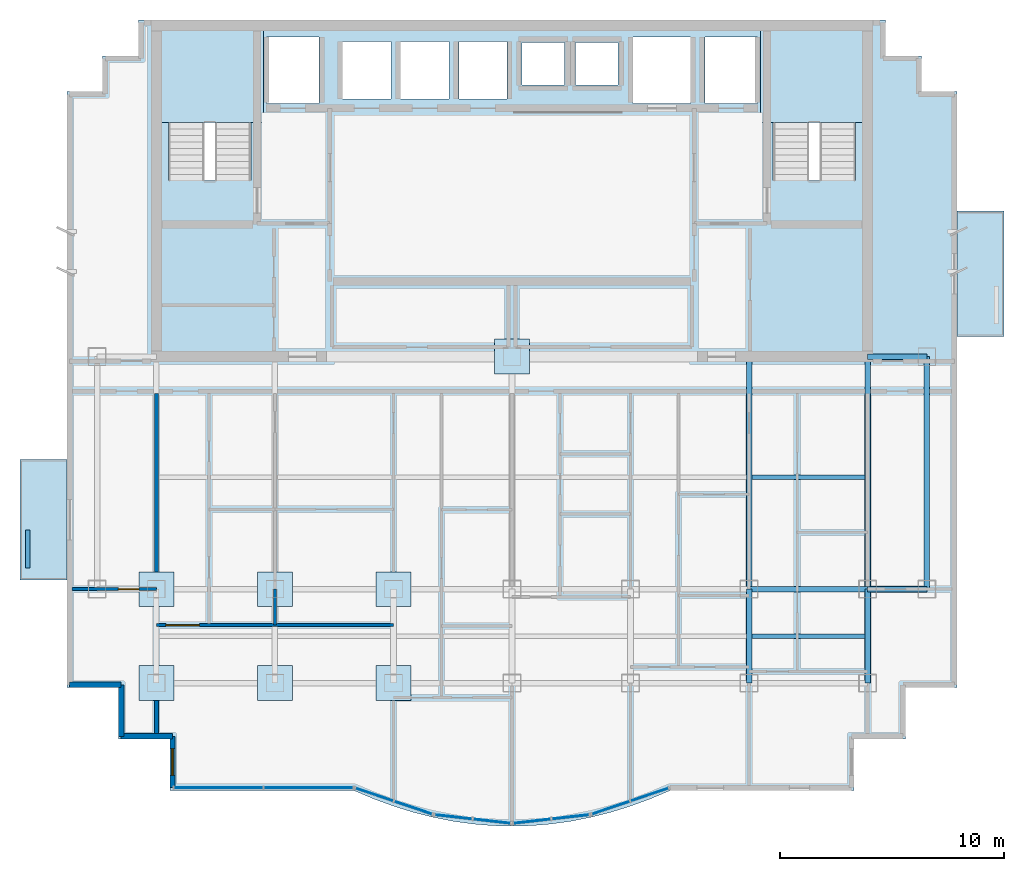
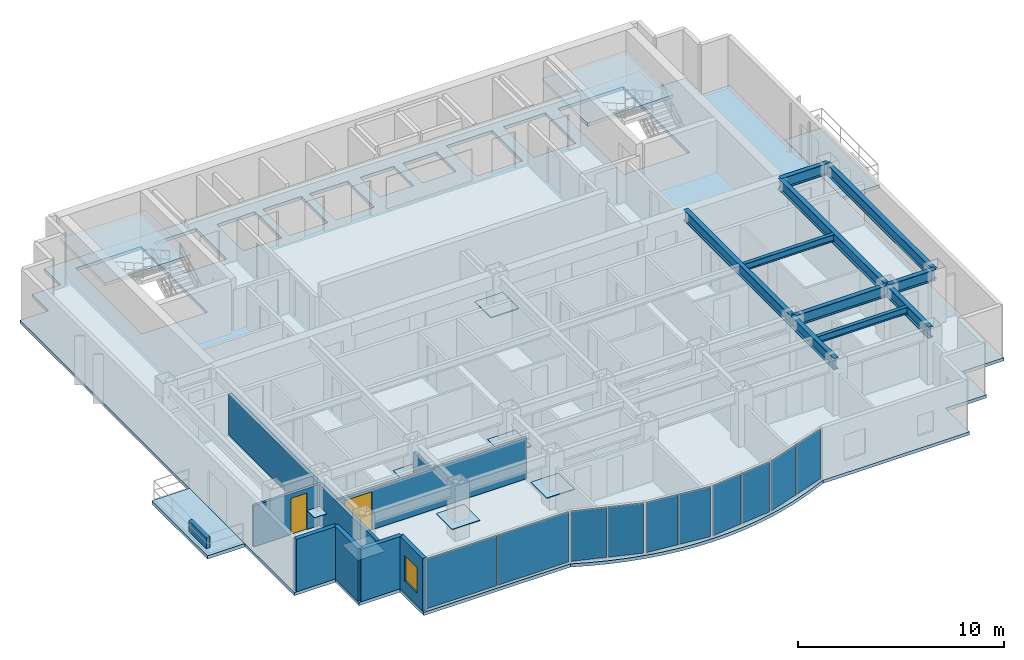
# One storey, part 3 of 9: 17 plates, 10 beams, 9 walls, 5 slabs, 2 doors, 1 window, 3 openings, 7 elements without a shape of their own.
"""IFC4 building model written with IfcOpenShell, lengths in metres."""

from ifc_helpers import new_model, si_unit, direction, frame, frame_2d, origin, origin_2d, place, context, subcontext, project, spatial, polyline, rectangle, i_section, outline, extrude, source, transform, mapped, material, layer, layer_set, material_profile, profile_set, type_object, element, fill, aggregate, save


model = new_model("IFC4")

# Units and contexts
model_context = context("Model", 3, precision=1e-05, world=origin(), true_north=direction((0.0, 1.0)))
body_context = subcontext(model_context, "Body", "Model", "MODEL_VIEW")
ifc_project = project(units=[si_unit("LENGTHUNIT", "METRE"), si_unit("AREAUNIT", "SQUARE_METRE"), si_unit("VOLUMEUNIT", "CUBIC_METRE"), si_unit("PLANEANGLEUNIT", "RADIAN"), si_unit("MASSUNIT", "GRAM", prefix="KILO")], contexts=[model_context])

# Site, building, storey
site_placement = place(None, origin())
site = spatial("IfcSite", under=ifc_project, at=site_placement, CompositionType="ELEMENT")
building_placement = place(site_placement, origin())
building = spatial("IfcBuilding", under=site, at=building_placement, Name="Qianlan Lanfeng Residences", CompositionType="ELEMENT")
storey_placement = place(building_placement, frame((0.0, 0.0, 213.199951171875)))
storey = spatial("IfcBuildingStorey", under=building, at=storey_placement, Name="L58", CompositionType="ELEMENT", Elevation=213.199951171875)

# Beams
ifc_material_1 = material(Name="Steel SN490B", Category="steel")
ifc_material_profile_1 = material_profile(ifc_material_1, i_section(OverallWidth=0.25, OverallDepth=0.64990234375, WebThickness=0.012939453125, FlangeThickness=0.02197265625, at=origin_2d()), Name="H 650x250x13x22")
ifc_profile_set_1 = profile_set([ifc_material_profile_1], Name="Steel SN490B")
beam_type_1 = type_object("IfcBeamType", Name="G-650", PredefinedType="BEAM", material=ifc_profile_set_1)
beam_1_placement = place(storey_placement, frame((37.10009765625, 14.800048828125, 2.78515625), z_axis=(1.0, 0.0, 0.0), x_axis=(0.0, 1.0, 0.0)))
element("IfcBeam", 1, at=beam_1_placement, inside=storey, type_object=beam_type_1, Name="Structural beam G-650", PredefinedType="BEAM", context=body_context, shape_type="SweptSolid", body=[
    extrude(i_section(OverallWidth=0.25, OverallDepth=0.64990234375, WebThickness=0.012939453125, FlangeThickness=0.02197265625, at=origin_2d()), origin(), (0.0, 0.0, 1.0), 5.2998046875),
])
for number, where, z_axis, x_axis, name in (
    (2, (42.39990234375, 14.800048828125, 2.78515625), (1.0, 0.0, 0.0), (0.0, 1.0, 0.0), "Structural beam G-650"),
    (3, (42.39990234375, 25.199951171875, 2.78515625), (1.0, 0.0, 0.0), (0.0, 1.0, 0.0), "Structural beam G-650"),
):
    element("IfcBeam", number, at=place(storey_placement, frame(where, z_axis=z_axis, x_axis=x_axis)), inside=storey, type_object=beam_type_1, Name=name, PredefinedType="BEAM", context=body_context, shape_type="SweptSolid", body=[
        extrude(i_section(OverallWidth=0.25, OverallDepth=0.64990234375, WebThickness=0.012939453125, FlangeThickness=0.02197265625, at=origin_2d()), origin(), (0.0, 0.0, 1.0), 2.650146484375),
    ])
beam_2_placement = place(storey_placement, frame((37.10009765625, 10.60009765625, 2.78515625), z_axis=(0.0, 1.0, 0.0), x_axis=(-1.0, 0.0, 0.0)))
element("IfcBeam", 4, at=beam_2_placement, inside=storey, type_object=beam_type_1, Name="Structural beam G-650", PredefinedType="BEAM", context=body_context, shape_type="SweptSolid", body=[
    extrude(i_section(OverallWidth=0.25, OverallDepth=0.64990234375, WebThickness=0.012939453125, FlangeThickness=0.02197265625, at=origin_2d()), origin(), (0.0, 0.0, 1.0), 4.199951171875),
])
beam_3_placement = place(storey_placement, frame((37.10009765625, 14.800048828125, 2.78515625), z_axis=(0.0, 1.0, 0.0), x_axis=(-1.0, 0.0, 0.0)))
element("IfcBeam", 5, at=beam_3_placement, inside=storey, type_object=beam_type_1, Name="Structural beam G-650", PredefinedType="BEAM", context=body_context, shape_type="SweptSolid", body=[
    extrude(i_section(OverallWidth=0.25, OverallDepth=0.64990234375, WebThickness=0.012939453125, FlangeThickness=0.02197265625, at=origin_2d()), origin(), (0.0, 0.0, 1.0), 10.39990234375),
])
beam_4_placement = place(storey_placement, frame((42.39990234375, 10.60009765625, 2.78515625), z_axis=(0.0, 1.0, 0.0), x_axis=(-1.0, 0.0, 0.0)))
element("IfcBeam", 6, at=beam_4_placement, inside=storey, type_object=beam_type_1, Name="Structural beam G-650", PredefinedType="BEAM", context=body_context, shape_type="SweptSolid", body=[
    extrude(i_section(OverallWidth=0.25, OverallDepth=0.64990234375, WebThickness=0.012939453125, FlangeThickness=0.02197265625, at=origin_2d()), origin(), (0.0, 0.0, 1.0), 4.199951171875),
])
beam_5_placement = place(storey_placement, frame((42.39990234375, 14.800048828125, 2.78515625), z_axis=(0.0, 1.0, 0.0), x_axis=(-1.0, 0.0, 0.0)))
element("IfcBeam", 7, at=beam_5_placement, inside=storey, type_object=beam_type_1, Name="Structural beam G-650", PredefinedType="BEAM", context=body_context, shape_type="SweptSolid", body=[
    extrude(i_section(OverallWidth=0.25, OverallDepth=0.64990234375, WebThickness=0.012939453125, FlangeThickness=0.02197265625, at=origin_2d()), origin(), (0.0, 0.0, 1.0), 10.39990234375),
])
ifc_material_profile_2 = material_profile(ifc_material_1, i_section(OverallWidth=0.199951171875, OverallDepth=0.39990234375, WebThickness=0.008056640625, FlangeThickness=0.012939453125, at=origin_2d()), Name="H 400x200x8x13")
ifc_profile_set_2 = profile_set([ifc_material_profile_2], Name="Steel SN490B")
beam_type_2 = type_object("IfcBeamType", Name="J-400", PredefinedType="JOIST", material=ifc_profile_set_2)
for number, where, z_axis, x_axis, name in (
    (8, (37.22509765625, 12.699951171875, 2.91015625), (1.0, 0.0, 0.0), (0.0, 1.0, 0.0), "Structural beam J-400"),
    (9, (37.22509765625, 19.800048828125, 2.91015625), (1.0, 0.0, 0.0), (0.0, 1.0, 0.0), "Structural beam J-400"),
):
    element("IfcBeam", number, at=place(storey_placement, frame(where, z_axis=z_axis, x_axis=x_axis)), inside=storey, type_object=beam_type_2, Name=name, PredefinedType="JOIST", context=body_context, shape_type="SweptSolid", body=[
        extrude(i_section(OverallWidth=0.199951171875, OverallDepth=0.39990234375, WebThickness=0.008056640625, FlangeThickness=0.012939453125, at=origin_2d()), origin(), (0.0, 0.0, 1.0), 5.0498046875),
    ])
ifc_material_profile_3 = material_profile(ifc_material_1, i_section(OverallWidth=0.25, OverallDepth=0.64990234375, WebThickness=0.012939453125, FlangeThickness=0.02197265625, at=origin_2d()), Name="H 650x250x13x22")
ifc_profile_set_3 = profile_set([ifc_material_profile_3], Name="Steel SN490B")
beam_type_3 = type_object("IfcBeamType", Name="SG-650", PredefinedType="SPANDREL", material=ifc_profile_set_3)
beam_6_placement = place(storey_placement, frame((45.050048828125, 14.800048828125, 2.76513671875), z_axis=(0.0, 1.0, 0.0), x_axis=(-1.0, 0.0, 0.0)))
element("IfcBeam", 10, at=beam_6_placement, inside=storey, type_object=beam_type_3, Name="Structural beam SG-650", PredefinedType="SPANDREL", context=body_context, shape_type="SweptSolid", body=[
    extrude(i_section(OverallWidth=0.25, OverallDepth=0.64990234375, WebThickness=0.012939453125, FlangeThickness=0.02197265625, at=origin_2d()), origin(), (0.0, 0.0, 1.0), 10.39990234375),
])

# Slabs
ifc_material_2 = material(Name="Concrete C42", Category="concrete")
ifc_layer_1 = layer(ifc_material_2, 0.199951171875)
ifc_layer_set_1 = layer_set([ifc_layer_1], Name="Concrete C42")
slab_type_1 = type_object("IfcSlabType", Name="S-BAL-200", PredefinedType="FLOOR", material=ifc_layer_set_1)
slab_1_placement = place(storey_placement, frame((0.0, 0.0, -0.199951171875)))
element("IfcSlab", 11, at=slab_1_placement, inside=storey, type_object=slab_type_1, Name="L58 Planted Tree Balcony Slab WB-S", PredefinedType="FLOOR", context=body_context, shape_type="SweptSolid", body=[
    extrude(outline(polyline([(6.60009765625, 15.199951171875), (6.60009765625, 20.60009765625), (4.5, 20.60009765625), (4.5, 15.199951171875), (6.60009765625, 15.199951171875)])), origin(), (0.0, 0.0, 1.0), 0.199951171875),
])
slab_2_placement = place(storey_placement, frame((0.0, 0.0, -0.199951171875)))
element("IfcSlab", 12, at=slab_2_placement, inside=storey, type_object=slab_type_1, Name="L58 Planted Tree Balcony Slab EB-N", PredefinedType="FLOOR", context=body_context, shape_type="SweptSolid", body=[
    extrude(outline(polyline([(46.39990234375, 31.699951171875), (46.39990234375, 26.10009765625), (48.5, 26.10009765625), (48.5, 31.699951171875), (46.39990234375, 31.699951171875)])), origin(), (0.0, 0.0, 1.0), 0.199951171875),
])
ifc_layer_2 = layer(ifc_material_2, 0.18994140625)
ifc_layer_set_2 = layer_set([ifc_layer_2], Name="Concrete C42")
slab_type_2 = type_object("IfcSlabType", Name="S-FL-190", PredefinedType="FLOOR", material=ifc_layer_set_2)
slab_3_placement = place(storey_placement, frame((0.0, 0.0, -0.18994140625)))
element("IfcSlab", 13, at=slab_3_placement, inside=storey, type_object=slab_type_2, Name="L58 Structural Floor Slab", PredefinedType="FLOOR", context=body_context, shape_type="SweptSolid", body=[
    extrude(outline(polyline([(6.60009765625, 10.39990234375), (8.89990234375, 10.39990234375), (8.89990234375, 8.10009765625), (11.199951171875, 8.10009765625), (11.199951171875, 5.800048828125), (19.419921875, 5.800048828125), (20.304931640625, 5.425048828125), (21.18994140625, 5.10009765625), (22.074951171875, 4.824951171875), (22.9599609375, 4.60009765625), (23.844970703125, 4.425048828125), (24.72998046875, 4.300048828125), (25.614990234375, 4.22509765625), (26.5, 4.199951171875), (27.385009765625, 4.22509765625), (28.27001953125, 4.300048828125), (29.155029296875, 4.425048828125), (30.0400390625, 4.60009765625), (30.925048828125, 4.824951171875), (31.81005859375, 5.10009765625), (32.695068359375, 5.425048828125), (33.580078125, 5.800048828125), (41.800048828125, 5.800048828125), (41.800048828125, 8.10009765625), (44.10009765625, 8.10009765625), (44.10009765625, 10.39990234375), (46.39990234375, 10.39990234375), (46.39990234375, 37.050048828125), (44.800048828125, 37.050048828125), (44.800048828125, 38.64990234375), (43.199951171875, 38.64990234375), (43.199951171875, 40.25), (9.800048828125, 40.25), (9.800048828125, 38.64990234375), (8.199951171875, 38.64990234375), (8.199951171875, 37.050048828125), (6.60009765625, 37.050048828125), (6.60009765625, 10.39990234375)]), holes=[polyline([(11.139892578125, 33.080078125), (11.139892578125, 39.5), (14.820068359375, 39.5), (14.820068359375, 33.080078125), (11.139892578125, 33.080078125)]), polyline([(38.179931640625, 33.080078125), (38.179931640625, 39.5), (41.860107421875, 39.5), (41.860107421875, 33.080078125), (38.179931640625, 33.080078125)]), polyline([(15.52001953125, 36.52001953125), (15.52001953125, 39.47998046875), (17.8798828125, 39.47998046875), (17.8798828125, 36.52001953125), (15.52001953125, 36.52001953125)]), polyline([(35.1201171875, 36.52001953125), (35.1201171875, 39.47998046875), (37.47998046875, 39.47998046875), (37.47998046875, 36.52001953125), (35.1201171875, 36.52001953125)]), polyline([(31.919921875, 36.52001953125), (31.919921875, 39.47998046875), (34.47998046875, 39.47998046875), (34.47998046875, 36.52001953125), (31.919921875, 36.52001953125)]), polyline([(18.919921875, 36.719970703125), (18.919921875, 39.280029296875), (21.080078125, 39.280029296875), (21.080078125, 36.719970703125), (18.919921875, 36.719970703125)]), polyline([(21.52001953125, 36.719970703125), (21.52001953125, 39.280029296875), (23.679931640625, 39.280029296875), (23.679931640625, 36.719970703125), (21.52001953125, 36.719970703125)]), polyline([(24.1201171875, 36.719970703125), (24.1201171875, 39.280029296875), (26.280029296875, 39.280029296875), (26.280029296875, 36.719970703125), (24.1201171875, 36.719970703125)]), polyline([(26.949951171875, 37.35009765625), (26.949951171875, 39.25), (28.85009765625, 39.25), (28.85009765625, 37.35009765625), (26.949951171875, 37.35009765625)]), polyline([(29.35009765625, 37.35009765625), (29.35009765625, 39.25), (31.25, 39.25), (31.25, 37.35009765625), (29.35009765625, 37.35009765625)])]), origin(), (0.0, 0.0, 1.0), 0.18994140625),
])

# Stair, slab
stair_type = type_object("IfcStairType", Name="STR-MAIN", PredefinedType="HALF_TURN_STAIR", material=ifc_material_2)
stair_1_placement = place(storey_placement, origin())
stair_1 = element("IfcStair", 14, at=stair_1_placement, inside=storey, type_object=stair_type, Name="L58 Exit Stair ST-1", PredefinedType="HALF_TURN_STAIR")
ifc_layer_3 = layer(ifc_material_2, 0.179931640625)
ifc_layer_set_3 = layer_set([ifc_layer_3], Name="Concrete C42")
slab_type_3 = type_object("IfcSlabType", Name="S-LND-180", PredefinedType="LANDING", material=ifc_layer_set_3)
slab_4_placement = place(storey_placement, frame((0.0, 0.0, 1.449951171875)))
slab_4 = element("IfcSlab", 15, at=slab_4_placement, type_object=slab_type_3, Name="ST-1 landing 1", PredefinedType="LANDING", context=body_context, shape_type="SweptSolid", body=[
    extrude(outline(polyline([(10.580078125, 35.659912109375), (15.3798828125, 35.659912109375), (15.3798828125, 40.050048828125), (10.580078125, 40.050048828125), (10.580078125, 35.659912109375)])), origin(), (0.0, 0.0, 1.0), 0.2001953125),
])
aggregate(stair_1, [slab_4])

stair_2_placement = place(storey_placement, origin())
stair_2 = element("IfcStair", 16, at=stair_2_placement, inside=storey, type_object=stair_type, Name="L58 Exit Stair ST-2", PredefinedType="HALF_TURN_STAIR")
slab_5_placement = place(storey_placement, frame((0.0, 0.0, 1.449951171875)))
slab_5 = element("IfcSlab", 17, at=slab_5_placement, type_object=slab_type_3, Name="ST-2 landing 1", PredefinedType="LANDING", context=body_context, shape_type="SweptSolid", body=[
    extrude(outline(polyline([(37.6201171875, 35.659912109375), (42.419921875, 35.659912109375), (42.419921875, 40.050048828125), (37.6201171875, 40.050048828125), (37.6201171875, 35.659912109375)])), origin(), (0.0, 0.0, 1.0), 0.2001953125),
])
aggregate(stair_2, [slab_5])

# Plates
ifc_layer_4 = layer(ifc_material_1, 0.028076171875)
ifc_layer_set_4 = layer_set([ifc_layer_4], Name="Steel SN490B")
plate_type_1 = type_object("IfcPlateType", Name="NPE-CAP-28", PredefinedType="USERDEFINED", material=ifc_layer_set_4)
shared_shape_1 = source(origin(), body_context, "Body", "SweptSolid", [
    extrude(rectangle(XDim=1.550048828125, YDim=1.550048828125, at=origin_2d()), origin(), (0.0, 0.0, 1.0), 0.028076171875),
])
plate_1_placement = place(storey_placement, frame((10.60009765625, 10.60009765625, 1.0859375), z_axis=(0.0, 0.0, 1.0), x_axis=(1.0, 0.0, 0.0)))
element("IfcPlate", 18, at=plate_1_placement, inside=storey, type_object=plate_type_1, Name="L58 Column Splice Cap Plate 3", ObjectType="SPLICE_PLATE", PredefinedType="USERDEFINED", context=body_context, shape_type="MappedRepresentation", body=[
    mapped(shared_shape_1, transform((0.0, 0.0, 0.0), scale=1.0)),
])
ifc_layer_5 = layer(ifc_material_1, 0.031982421875)
ifc_layer_set_5 = layer_set([ifc_layer_5], Name="Steel SN490B")
plate_type_2 = type_object("IfcPlateType", Name="NP-CAP-32", PredefinedType="USERDEFINED", material=ifc_layer_set_5)
shared_shape_2 = source(origin(), body_context, "Body", "SweptSolid", [
    extrude(rectangle(XDim=1.550048828125, YDim=1.550048828125, at=origin_2d()), origin(), (0.0, 0.0, 1.0), 0.031982421875),
])
for number, where, z_axis, x_axis, name in (
    (19, (26.5, 25.199951171875, 1.083984375), (0.0, 0.0, 1.0), (1.0, 0.0, 0.0), "L58 Column Splice Cap Plate 1"),
    (20, (10.60009765625, 14.800048828125, 1.083984375), (0.0, 0.0, 1.0), (1.0, 0.0, 0.0), "L58 Column Splice Cap Plate 2"),
    (21, (15.89990234375, 14.800048828125, 1.083984375), (0.0, 0.0, 1.0), (1.0, 0.0, 0.0), "L58 Column Splice Cap Plate 4"),
    (22, (15.89990234375, 10.60009765625, 1.083984375), (0.0, 0.0, 1.0), (1.0, 0.0, 0.0), "L58 Column Splice Cap Plate 5"),
    (23, (21.199951171875, 14.800048828125, 1.083984375), (0.0, 0.0, 1.0), (1.0, 0.0, 0.0), "L58 Column Splice Cap Plate 6"),
    (24, (21.199951171875, 10.60009765625, 1.083984375), (0.0, 0.0, 1.0), (1.0, 0.0, 0.0), "L58 Column Splice Cap Plate 7"),
):
    element("IfcPlate", number, at=place(storey_placement, frame(where, z_axis=z_axis, x_axis=x_axis)), inside=storey, type_object=plate_type_2, Name=name, ObjectType="SPLICE_PLATE", PredefinedType="USERDEFINED", context=body_context, shape_type="MappedRepresentation", body=[
        mapped(shared_shape_2, transform((0.0, 0.0, 0.0), scale=1.0)),
    ])

# Curtain wall, plates
ifc_material_3 = material(Name="Anodised Bronze Aluminium 6063-T6", Category="aluminium")
ifc_layer_6 = layer(ifc_material_3, 0.219970703125)
ifc_layer_set_6 = layer_set([ifc_layer_6], Name="Anodised Bronze Aluminium 6063-T6")
curtain_wall_type = type_object("IfcCurtainWallType", Name="CW-05", PredefinedType="NOTDEFINED", material=ifc_layer_set_6)
curtain_wall_1_placement = place(storey_placement, origin())
curtain_wall_1 = element("IfcCurtainWall", 25, at=curtain_wall_1_placement, inside=storey, type_object=curtain_wall_type, Name="L58 Unitised Curtain Wall CWR-L58-01 (CW-05)", PredefinedType="NOTDEFINED")
ifc_material_4 = material(Name="Dark Bronze Tinted Insulated Glass", Category="glass")
ifc_layer_7 = layer(ifc_material_4, 0.0380859375)
ifc_layer_set_7 = layer_set([ifc_layer_7], Name="Dark Bronze Tinted Insulated Glass")
plate_type_3 = type_object("IfcPlateType", Name="PNL-GLZ-BRZ", PredefinedType="CURTAIN_PANEL", material=ifc_layer_set_7)
shared_shape_3 = source(origin(), body_context, "Body", "SweptSolid", [
    extrude(rectangle(XDim=3.951416015625, YDim=0.0380859375, at=origin_2d()), origin(), (0.0, 0.0, 1.0), 2.9619140625),
])
plate_2_placement = place(storey_placement, frame((13.36962890625, 5.919921875, 0.073974609375), z_axis=(0.0, 0.0, 1.0), x_axis=(1.0, 0.0, 0.0)))
plate_2 = element("IfcPlate", 26, at=plate_2_placement, type_object=plate_type_3, Name="CWR-L58-01 Curtain Panel 1", PredefinedType="CURTAIN_PANEL", context=body_context, shape_type="MappedRepresentation", body=[
    mapped(shared_shape_3, transform((0.0, 0.0, 0.0), scale=1.0)),
])
plate_3_placement = place(storey_placement, frame((17.394287109375, 5.919921875, 0.073974609375), z_axis=(0.0, 0.0, 1.0), x_axis=(1.0, 0.0, 0.0)))
plate_3 = element("IfcPlate", 27, at=plate_3_placement, type_object=plate_type_3, Name="CWR-L58-01 Curtain Panel 2", PredefinedType="CURTAIN_PANEL", context=body_context, shape_type="MappedRepresentation", body=[
    mapped(shared_shape_3, transform((0.0, 0.0, 0.0), scale=1.0)),
])
aggregate(curtain_wall_1, [plate_2, plate_3])

# Curtain wall, plate
curtain_wall_2_placement = place(storey_placement, origin())
curtain_wall_2 = element("IfcCurtainWall", 28, at=curtain_wall_2_placement, inside=storey, type_object=curtain_wall_type, Name="L58 Unitised Curtain Wall CWR-L58-02 (CW-05)", PredefinedType="NOTDEFINED")
shared_shape_4 = source(origin(), body_context, "Body", "SweptSolid", [
    extrude(rectangle(XDim=1.760009765625, YDim=0.0380859375, at=origin_2d()), origin(), (0.0, 0.0, 1.0), 2.9619140625),
])
plate_4_placement = place(storey_placement, frame((20.347412109375, 5.61328125, 0.073974609375), z_axis=(0.0, 0.0, 1.0), x_axis=(0.946876819797, -0.321596467845, 0.0)))
plate_4 = element("IfcPlate", 29, at=plate_4_placement, type_object=plate_type_3, Name="CWR-L58-02 Curtain Panel 1", PredefinedType="CURTAIN_PANEL", context=body_context, shape_type="MappedRepresentation", body=[
    mapped(shared_shape_4, transform((0.0, 0.0, 0.0), scale=1.0)),
])

curtain_wall_3_placement = place(storey_placement, origin())
curtain_wall_3 = element("IfcCurtainWall", 30, at=curtain_wall_3_placement, inside=storey, type_object=curtain_wall_type, Name="L58 Unitised Curtain Wall CWR-L58-05 (CW-05)", PredefinedType="NOTDEFINED")
plate_5_placement = place(storey_placement, frame((30.917236328125, 5.023681640625, 0.073974609375), z_axis=(0.0, 0.0, 1.0), x_axis=(0.946876819797, 0.321596467845, 0.0)))
plate_5 = element("IfcPlate", 31, at=plate_5_placement, type_object=plate_type_3, Name="CWR-L58-05 Curtain Panel 1", PredefinedType="CURTAIN_PANEL", context=body_context, shape_type="MappedRepresentation", body=[
    mapped(shared_shape_4, transform((0.0, 0.0, 0.0), scale=1.0)),
])

# Plate
ifc_material_5 = material(Name="Perforated Champagne Gold Aluminium Panel", Category="aluminium")
ifc_layer_8 = layer(ifc_material_5, 0.0400390625)
ifc_layer_set_8 = layer_set([ifc_layer_8], Name="Perforated Champagne Gold Aluminium Panel")
plate_type_4 = type_object("IfcPlateType", Name="PNL-PRF-GLD", PredefinedType="CURTAIN_PANEL", material=ifc_layer_set_8)
shared_shape_5 = source(origin(), body_context, "Body", "SweptSolid", [
    extrude(rectangle(XDim=1.759765625, YDim=0.0400390625, at=origin_2d()), origin(), (0.0, 0.0, 1.0), 2.9619140625),
])
plate_6_placement = place(storey_placement, frame((22.082763671875, 5.023681640625, 0.073974609375), z_axis=(0.0, 0.0, 1.0), x_axis=(0.946876819797, -0.321596467845, 0.0)))
plate_6 = element("IfcPlate", 32, at=plate_6_placement, type_object=plate_type_4, Name="CWR-L58-02 Curtain Panel 2", PredefinedType="CURTAIN_PANEL", context=body_context, shape_type="MappedRepresentation", body=[
    mapped(shared_shape_5, transform((0.0, 0.0, 0.0), scale=1.0)),
])

aggregate(curtain_wall_2, [plate_4, plate_6])

# Curtain wall, plates
curtain_wall_4_placement = place(storey_placement, origin())
curtain_wall_4 = element("IfcCurtainWall", 33, at=curtain_wall_4_placement, inside=storey, type_object=curtain_wall_type, Name="L58 Unitised Curtain Wall CWR-L58-03 (CW-05)", PredefinedType="NOTDEFINED")
shared_shape_6 = source(origin(), body_context, "Body", "SweptSolid", [
    extrude(rectangle(XDim=1.65771484375, YDim=0.0380859375, at=origin_2d()), origin(), (0.0, 0.0, 1.0), 2.9619140625),
])
plate_7_placement = place(storey_placement, frame((23.883056640625, 4.615478515625, 0.073974609375), z_axis=(0.0, 0.0, 1.0), x_axis=(0.993678497778, -0.112263275625, 0.0)))
plate_7 = element("IfcPlate", 34, at=plate_7_placement, type_object=plate_type_3, Name="CWR-L58-03 Curtain Panel 1", PredefinedType="CURTAIN_PANEL", context=body_context, shape_type="MappedRepresentation", body=[
    mapped(shared_shape_6, transform((0.0, 0.0, 0.0), scale=1.0)),
])
plate_8_placement = place(storey_placement, frame((25.602783203125, 4.42138671875, 0.073974609375), z_axis=(0.0, 0.0, 1.0), x_axis=(0.993678497778, -0.112263275625, 0.0)))
plate_8 = element("IfcPlate", 35, at=plate_8_placement, type_object=plate_type_3, Name="CWR-L58-03 Curtain Panel 2", PredefinedType="CURTAIN_PANEL", context=body_context, shape_type="MappedRepresentation", body=[
    mapped(shared_shape_6, transform((0.0, 0.0, 0.0), scale=1.0)),
])
aggregate(curtain_wall_4, [plate_7, plate_8])

curtain_wall_5_placement = place(storey_placement, origin())
curtain_wall_5 = element("IfcCurtainWall", 36, at=curtain_wall_5_placement, inside=storey, type_object=curtain_wall_type, Name="L58 Unitised Curtain Wall CWR-L58-04 (CW-05)", PredefinedType="NOTDEFINED")
plate_9_placement = place(storey_placement, frame((27.397216796875, 4.42138671875, 0.073974609375), z_axis=(0.0, 0.0, 1.0), x_axis=(0.993678497778, 0.112263275625, 0.0)))
plate_9 = element("IfcPlate", 37, at=plate_9_placement, type_object=plate_type_3, Name="CWR-L58-04 Curtain Panel 1", PredefinedType="CURTAIN_PANEL", context=body_context, shape_type="MappedRepresentation", body=[
    mapped(shared_shape_6, transform((0.0, 0.0, 0.0), scale=1.0)),
])
shared_shape_7 = source(origin(), body_context, "Body", "SweptSolid", [
    extrude(rectangle(XDim=1.65771484375, YDim=0.0400390625, at=origin_2d()), origin(), (0.0, 0.0, 1.0), 2.9619140625),
])
plate_10_placement = place(storey_placement, frame((29.116943359375, 4.615478515625, 0.073974609375), z_axis=(0.0, 0.0, 1.0), x_axis=(0.993678497778, 0.112263275625, 0.0)))
plate_10 = element("IfcPlate", 38, at=plate_10_placement, type_object=plate_type_4, Name="CWR-L58-04 Curtain Panel 2", PredefinedType="CURTAIN_PANEL", context=body_context, shape_type="MappedRepresentation", body=[
    mapped(shared_shape_7, transform((0.0, 0.0, 0.0), scale=1.0)),
])
aggregate(curtain_wall_5, [plate_9, plate_10])

# Plate
shared_shape_8 = source(origin(), body_context, "Body", "SweptSolid", [
    extrude(rectangle(XDim=1.759765625, YDim=0.0380859375, at=origin_2d()), origin(), (0.0, 0.0, 1.0), 2.9619140625),
])
plate_11_placement = place(storey_placement, frame((32.65283203125, 5.61328125, 0.073974609375), z_axis=(0.0, 0.0, 1.0), x_axis=(0.946876819797, 0.321596467845, 0.0)))
plate_11 = element("IfcPlate", 39, at=plate_11_placement, type_object=plate_type_3, Name="CWR-L58-05 Curtain Panel 2", PredefinedType="CURTAIN_PANEL", context=body_context, shape_type="MappedRepresentation", body=[
    mapped(shared_shape_8, transform((0.0, 0.0, 0.0), scale=1.0)),
])

aggregate(curtain_wall_3, [plate_5, plate_11])

# Walls
ifc_layer_9 = layer(ifc_material_2, 0.239990234375)
ifc_layer_set_9 = layer_set([ifc_layer_9], Name="Concrete C42")
wall_type_1 = type_object("IfcWallType", Name="EW-240", PredefinedType="SOLIDWALL", material=ifc_layer_set_9)
for number, where, z_axis, x_axis, name in (
    (40, (6.719970703125, 10.52001953125, 0.0), (0.0, 0.0, 1.0), (1.0, 0.0, 0.0), "L58 Exterior Facade Spandrel Wall 1"),
    (41, (9.02001953125, 10.52001953125, 0.0), (0.0, 0.0, 1.0), (0.0, -1.0, 0.0), "L58 Exterior Facade Spandrel Wall 2"),
    (42, (9.02001953125, 8.219970703125, 0.0), (0.0, 0.0, 1.0), (1.0, 0.0, 0.0), "L58 Exterior Facade Spandrel Wall 3"),
):
    element("IfcWall", number, at=place(storey_placement, frame(where, z_axis=z_axis, x_axis=x_axis)), inside=storey, type_object=wall_type_1, Name=name, PredefinedType="SOLIDWALL", context=body_context, shape_type="SweptSolid", body=[
        extrude(rectangle(XDim=2.300048828125, YDim=0.239990234375, at=frame_2d((1.14990234375, 0.0))), origin(), (0.0, 0.0, 1.0), 3.110107421875),
    ])

# Wall, opening, window
wall_1_placement = place(storey_placement, frame((11.320068359375, 8.219970703125, 0.0), z_axis=(0.0, 0.0, 1.0), x_axis=(0.0, -1.0, 0.0)))
wall_1 = element("IfcWall", 43, at=wall_1_placement, inside=storey, type_object=wall_type_1, Name="L58 Exterior Facade Spandrel Wall 4", PredefinedType="SOLIDWALL", context=body_context, shape_type="SweptSolid", body=[
    extrude(rectangle(XDim=2.300048828125, YDim=0.239990234375, at=frame_2d((1.14990234375, 0.0))), origin(), (0.0, 0.0, 1.0), 3.110107421875),
])
opening_1_placement = place(wall_1_placement, frame((0.550048828125, 0.0, 0.75)))
opening_1 = element("IfcOpeningElement", 44, at=opening_1_placement, cuts=wall_1, Name="Opening W-03", PredefinedType="OPENING", context=body_context, shape_type="SweptSolid", body=[
    extrude(rectangle(XDim=1.199951171875, YDim=1.5, at=frame_2d((0.60009765625, 0.75))), frame((0.0, 0.1298828125, 0.0), z_axis=(0.0, -1.0, 0.0), x_axis=(1.0, 0.0, 0.0)), (0.0, 0.0, 1.0), 0.260009765625),
])
ifc_material_6 = material(Name="Anodised Bronze Aluminium Framed Double Glazing", Category="aluminium")
window_type = type_object("IfcWindowType", Name="W-03", PartitioningType="SINGLE_PANEL", PredefinedType="WINDOW", material=ifc_material_6)
window_placement = place(opening_1_placement, origin())
window = element("IfcWindow", 45, at=window_placement, inside=storey, type_object=window_type, Name="L58 Facade Punched Window W-03", OverallHeight=1.5, OverallWidth=1.199951171875, PartitioningType="SINGLE_PANEL", PredefinedType="WINDOW", context=body_context, shape_type="SweptSolid", body=[
    extrude(rectangle(XDim=1.199951171875, YDim=1.5, at=frame_2d((0.60009765625, 0.75))), frame((0.0, 0.030029296875, 0.0), z_axis=(0.0, -1.0, 0.0), x_axis=(1.0, 0.0, 0.0)), (0.0, 0.0, 1.0), 0.06005859375),
])
fill(opening_1, window)

# Walls
ifc_layer_10 = layer(ifc_material_2, 0.199951171875)
ifc_layer_set_10 = layer_set([ifc_layer_10], Name="Concrete C42")
wall_type_2 = type_object("IfcWallType", Name="PL-TREE-200", PredefinedType="PARAPET", material=ifc_layer_set_10)
wall_2_placement = place(storey_placement, frame((4.85009765625, 15.75, 0.0), z_axis=(0.0, 0.0, 1.0), x_axis=(0.0, 1.0, 0.0)))
element("IfcWall", 46, at=wall_2_placement, inside=storey, type_object=wall_type_2, Name="L58 West Tree Planter Curb WB-S", PredefinedType="PARAPET", context=body_context, shape_type="SweptSolid", body=[
    extrude(rectangle(XDim=1.699951171875, YDim=0.199951171875, at=frame_2d((0.85009765625, 0.0))), origin(), (0.0, 0.0, 1.0), 0.650146484375),
])
ifc_material_7 = material(Name="Moisture-Resistant Gypsum Partition 135 mm")
ifc_layer_11 = layer(ifc_material_7, 0.135009765625)
ifc_layer_set_11 = layer_set([ifc_layer_11], Name="Moisture-Resistant Gypsum Partition 135 mm")
wall_type_3 = type_object("IfcWallType", Name="PW-135", PredefinedType="PARTITIONING", material=ifc_layer_set_11)
wall_3_placement = place(storey_placement, frame((15.89990234375, 13.18994140625, 0.0), z_axis=(0.0, 0.0, 1.0), x_axis=(0.0, 1.0, 0.0)))
element("IfcWall", 47, at=wall_3_placement, inside=storey, type_object=wall_type_3, Name="L58 U01 Mid Column Wall", PredefinedType="PARTITIONING", context=body_context, shape_type="SweptSolid", body=[
    extrude(rectangle(XDim=1.610107421875, YDim=0.135009765625, at=frame_2d((0.80517578125, 0.0))), origin(), (0.0, 0.0, 1.0), 2.429931640625),
])

# Wall, opening, door
wall_4_placement = place(storey_placement, frame((10.60009765625, 13.18994140625, 0.0), z_axis=(0.0, 0.0, 1.0), x_axis=(1.0, 0.0, 0.0)))
wall_4 = element("IfcWall", 48, at=wall_4_placement, inside=storey, type_object=wall_type_3, Name="L58 U01 Grand Living North Wall", PredefinedType="PARTITIONING", context=body_context, shape_type="SweptSolid", body=[
    extrude(rectangle(XDim=10.599853515625, YDim=0.135009765625, at=frame_2d((5.2998046875, 0.0))), origin(), (0.0, 0.0, 1.0), 2.429931640625),
])
opening_2_placement = place(wall_4_placement, frame((0.425048828125, 0.0, 0.0)))
opening_2 = element("IfcOpeningElement", 49, at=opening_2_placement, cuts=wall_4, Name="Opening L58-D19", PredefinedType="OPENING", context=body_context, shape_type="SweptSolid", body=[
    extrude(rectangle(XDim=1.5, YDim=2.25, at=frame_2d((0.75, 1.125))), frame((0.0, 0.07763671875, 0.0), z_axis=(0.0, -1.0, 0.0), x_axis=(1.0, 0.0, 0.0)), (0.0, 0.0, 1.0), 0.155029296875),
])
ifc_material_8 = material(Name="Timber Veneer Acoustic Fire Door", Category="wood")
door_type_1 = type_object("IfcDoorType", Name="DT-COR1", OperationType="NOTDEFINED", PredefinedType="DOOR", material=ifc_material_8)
door_1_placement = place(opening_2_placement, origin())
door_1 = element("IfcDoor", 50, at=door_1_placement, inside=storey, type_object=door_type_1, Name="L58 U01 Grand Living Door L58-D19 (DT-COR1)", OperationType="DOUBLE_DOOR_SINGLE_SWING", OverallHeight=2.25, OverallWidth=1.5, PredefinedType="DOOR", context=body_context, shape_type="SweptSolid", body=[
    extrude(rectangle(XDim=1.5, YDim=2.25, at=frame_2d((0.75, 1.125))), frame((0.0, 0.02490234375, 0.0), z_axis=(0.0, -1.0, 0.0), x_axis=(1.0, 0.0, 0.0)), (0.0, 0.0, 1.0), 0.050048828125),
])
fill(opening_2, door_1)

wall_5_placement = place(storey_placement, frame((6.820068359375, 14.800048828125, 0.0), z_axis=(0.0, 0.0, 1.0), x_axis=(1.0, 0.0, 0.0)))
wall_5 = element("IfcWall", 51, at=wall_5_placement, inside=storey, type_object=wall_type_3, Name="L58 SWP Mid Partition", PredefinedType="PARTITIONING", context=body_context, shape_type="SweptSolid", body=[
    extrude(rectangle(XDim=3.780029296875, YDim=0.135009765625, at=frame_2d((1.89013671875, 0.0))), origin(), (0.0, 0.0, 1.0), 2.429931640625),
])
opening_3_placement = place(wall_5_placement, frame((2.080078125, 0.0, 0.0)))
opening_3 = element("IfcOpeningElement", 52, at=opening_3_placement, cuts=wall_5, Name="Opening L58-D41", PredefinedType="OPENING", context=body_context, shape_type="SweptSolid", body=[
    extrude(rectangle(XDim=0.919921875, YDim=2.14990234375, at=frame_2d((0.4599609375, 1.074951171875))), frame((0.0, 0.07763671875, 0.0), z_axis=(0.0, -1.0, 0.0), x_axis=(1.0, 0.0, 0.0)), (0.0, 0.0, 1.0), 0.155029296875),
])
ifc_material_9 = material(Name="Glazed Timber Kitchen/Study Door", Category="wood")
door_type_2 = type_object("IfcDoorType", Name="DT-INT", OperationType="NOTDEFINED", PredefinedType="DOOR", material=ifc_material_9)
door_2_placement = place(opening_3_placement, origin())
door_2 = element("IfcDoor", 53, at=door_2_placement, inside=storey, type_object=door_type_2, Name="L58 SWP Inner Door L58-D41 (DT-INT)", OperationType="SINGLE_SWING_LEFT", OverallHeight=2.14990234375, OverallWidth=0.919921875, PredefinedType="DOOR", context=body_context, shape_type="SweptSolid", body=[
    extrude(rectangle(XDim=0.919921875, YDim=2.14990234375, at=frame_2d((0.4599609375, 1.074951171875))), frame((0.0, 0.02490234375, 0.0), z_axis=(0.0, -1.0, 0.0), x_axis=(1.0, 0.0, 0.0)), (0.0, 0.0, 1.0), 0.050048828125),
])
fill(opening_3, door_2)

# Wall
ifc_material_10 = material(Name="Double-Layer Acoustic Gypsum Stud Wall 180 mm")
ifc_layer_12 = layer(ifc_material_10, 0.179931640625)
ifc_layer_set_12 = layer_set([ifc_layer_12], Name="Double-Layer Acoustic Gypsum Stud Wall 180 mm")
wall_type_4 = type_object("IfcWallType", Name="PW-180", PredefinedType="PARTITIONING", material=ifc_layer_set_12)
wall_6_placement = place(storey_placement, frame((10.60009765625, 8.320068359375, 0.0), z_axis=(0.0, 0.0, 1.0), x_axis=(0.0, 1.0, 0.0)))
element("IfcWall", 54, at=wall_6_placement, inside=storey, type_object=wall_type_4, Name="L58 Wing Boundary Party Wall W0", PredefinedType="PARTITIONING", context=body_context, shape_type="SweptSolid", body=[
    extrude(rectangle(XDim=15.22998046875, YDim=0.179931640625, at=frame_2d((7.614990234375, 0.0))), origin(), (0.0, 0.0, 1.0), 2.429931640625),
])

save(model, "model.ifc")
